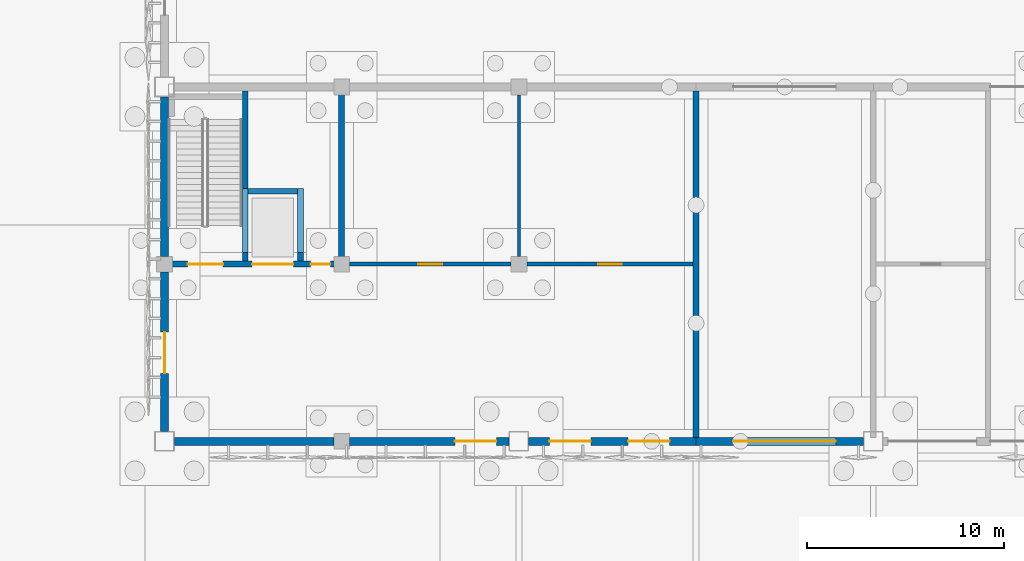
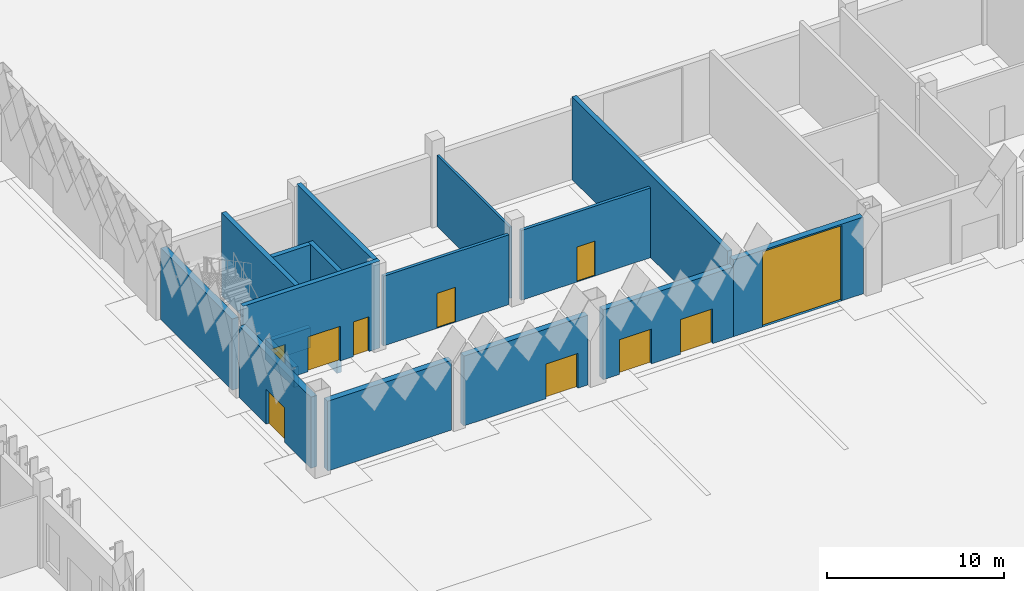
# One storey, part 81 of 198: 18 walls, 10 doors, 10 openings.
"""IFC4 building model written with IfcOpenShell, lengths in metres."""

import ifcopenshell
import ifcopenshell.guid

model = None  # the IFC model being written
_history = None  # IfcOwnerHistory: only IFC2X3 demands one
_inside = {}  # id of a spatial element -> (the spatial element, [elements in it])
_under = {}  # id of a project, library or spatial element -> (it, [spatial elements below it])
_declared = {}  # id of a project -> (the project, [libraries it declares])
_typed = {}  # id of a type object -> (the type object, [elements of that type])
_made_of = {}  # id of a material, layer set ... -> (it, [elements and type objects made of it])


def new_model(schema):
    """Start an empty IFC model of exactly this schema.

    Asked for "IFC4X3", IfcOpenShell would pick the latest addendum, in which some entities
    have other attributes; the version numbers below select the first issue.
    IFC2X3 requires an IfcOwnerHistory on every rooted entity: one is made here for all.
    """
    global model, _history
    if schema == "IFC4X3":
        model = ifcopenshell.file(schema_version=(4, 3, 0, 0))
    else:
        model = ifcopenshell.file(schema=schema)
    _inside.clear()
    _under.clear()
    _declared.clear()
    _typed.clear()
    _made_of.clear()
    _history = None
    if model.schema == "IFC2X3":
        org = make("IfcOrganization", Name="unknown")
        user = make(
            "IfcPersonAndOrganization",
            ThePerson=make("IfcPerson", FamilyName="unknown"),
            TheOrganization=org,
        )
        app = make(
            "IfcApplication",
            ApplicationDeveloper=org,
            Version="unknown",
            ApplicationFullName="unknown",
            ApplicationIdentifier="unknown",
        )
        _history = make(
            "IfcOwnerHistory",
            OwningUser=user,
            OwningApplication=app,
            ChangeAction="ADDED",
            CreationDate=0,
        )
    return model


def make(cls, **values):
    """One entity of the class cls with the attributes given. An attribute that is None is left unset."""
    return model.create_entity(
        cls, **{name: value for name, value in values.items() if value is not None}
    )


def rooted(cls, **values):
    """An entity with a GlobalId (a new one), such as an element, a storey or a relation."""
    return make(cls, GlobalId=ifcopenshell.guid.new(), OwnerHistory=_history, **values)


def si_unit(unit_type, name, prefix=None):
    """IfcSIUnit, for example si_unit("LENGTHUNIT", "METRE", prefix="MILLI")."""
    return make("IfcSIUnit", UnitType=unit_type, Prefix=prefix, Name=name)


def assignment(units):
    """IfcUnitAssignment: the units of a project."""
    return None if units is None else make("IfcUnitAssignment", Units=units)


def point(xyz):
    """IfcCartesianPoint."""
    return None if xyz is None else make("IfcCartesianPoint", Coordinates=xyz)


def direction(xyz):
    """IfcDirection."""
    return None if xyz is None else make("IfcDirection", DirectionRatios=xyz)


def frame(location, z_axis=None, x_axis=None):
    """IfcAxis2Placement3D, a coordinate frame: its origin and axes. An axis left out is left unset."""
    return make(
        "IfcAxis2Placement3D",
        Location=point(location),
        Axis=direction(z_axis),
        RefDirection=direction(x_axis),
    )


def frame_2d(location, x_axis=None):
    """IfcAxis2Placement2D, a coordinate frame in the plane: its origin and x axis."""
    return make(
        "IfcAxis2Placement2D", Location=point(location), RefDirection=direction(x_axis)
    )


def origin():
    """The frame at (0, 0, 0) with its axes left unset."""
    return frame((0.0, 0.0, 0.0))


def place(relative_to, where):
    """IfcLocalPlacement: puts the frame where relative to a parent placement (None: the world)."""
    return make(
        "IfcLocalPlacement", PlacementRelTo=relative_to, RelativePlacement=where
    )


def context(
    kind, dimensions, precision=None, world=None, true_north=None, identifier=None
):
    """IfcGeometricRepresentationContext, for example the 3D "Model" context."""
    return make(
        "IfcGeometricRepresentationContext",
        ContextIdentifier=identifier,
        ContextType=kind,
        CoordinateSpaceDimension=dimensions,
        Precision=precision,
        WorldCoordinateSystem=world,
        TrueNorth=true_north,
    )


def subcontext(parent, identifier, kind, view, scale=None):
    """IfcGeometricRepresentationSubContext, for example "Body" below "Model"."""
    return make(
        "IfcGeometricRepresentationSubContext",
        ContextIdentifier=identifier,
        ContextType=kind,
        ParentContext=parent,
        TargetScale=scale,
        TargetView=view,
    )


def project(units=None, contexts=None):
    """IfcProject with its units and contexts."""
    return rooted(
        "IfcProject",
        Name="project",
        RepresentationContexts=contexts,
        UnitsInContext=assignment(units),
    )


def spatial(cls, under=None, at=None, **own):
    """A site, building, storey or space (cls), placed at a placement, below another one or the project."""
    s = rooted(cls, ObjectPlacement=at, **own)
    if under is not None:
        _under.setdefault(under.id(), (under, []))[1].append(s)
    return s


def profile(cls, at=None, kind="AREA", **sizes):
    """A parametric profile (cls). Its sizes go by their IFC names, for example OverallWidth=200.0."""
    return make(cls, ProfileType=kind, Position=at, **sizes)


def rectangle(**sizes):
    """IfcRectangleProfileDef."""
    return profile("IfcRectangleProfileDef", **sizes)


def extrude(swept, where, along, depth):
    """IfcExtrudedAreaSolid: the profile swept, set in the frame where, extruded along a direction by depth."""
    return make(
        "IfcExtrudedAreaSolid",
        SweptArea=swept,
        Position=where,
        ExtrudedDirection=direction(along),
        Depth=depth,
    )


def shape(context_of_items, identifier, shape_type, items):
    """IfcShapeRepresentation: the items that make up one representation, for example the "Body"."""
    return make(
        "IfcShapeRepresentation",
        ContextOfItems=context_of_items,
        RepresentationIdentifier=identifier,
        RepresentationType=shape_type,
        Items=items,
    )


def material(Name=None, Category=None):
    """IfcMaterial."""
    return make("IfcMaterial", Name=Name, Category=Category)


def layer(
    of_material, thickness, ventilated=None, Name=None, Category=None, Priority=None
):
    """IfcMaterialLayer: one layer of a wall or slab, of a material (None: an air gap)."""
    return make(
        "IfcMaterialLayer",
        Material=of_material,
        LayerThickness=thickness,
        IsVentilated=ventilated,
        Name=Name,
        Category=Category,
        Priority=Priority,
    )


def layer_set(layers, Name=None):
    """IfcMaterialLayerSet."""
    return make("IfcMaterialLayerSet", MaterialLayers=layers, LayerSetName=Name)


def made_of(thing, what):
    """Note that an element or type object is made of a material, layer set ...; save() writes the relation."""
    if what is not None:
        _made_of.setdefault(what.id(), (what, []))[1].append(thing)
    return thing


def type_object(cls, material=None, **own):
    """A type object (cls), such as IfcWallType, which elements share."""
    return made_of(rooted(cls, **own), material)


def element(
    cls,
    number,
    at=None,
    inside=None,
    cuts=None,
    type_object=None,
    material=None,
    context=None,
    identifier="Body",
    shape_type=None,
    held_by="IfcProductDefinitionShape",
    body=None,
    shapes=None,
    **own,
):
    """One element of the class cls, such as IfcWall. Its Tag is "e" and its number.

    at: its placement. inside: the storey or other place that contains it. cuts: it is an
    opening in that element (IfcRelVoidsElement). A single representation is given by context,
    identifier, shape_type and body (its items); several are given by shapes. held_by: the class
    of the entity that holds the representations. save() writes the other relations.
    """
    e = rooted(cls, Tag="e%d" % number, ObjectPlacement=at, **own)
    if body is not None:
        shapes = [shape(context, identifier, shape_type, body)]
    if shapes is not None:
        e.Representation = make(held_by, Representations=shapes)
    if inside is not None:
        _inside.setdefault(inside.id(), (inside, []))[1].append(e)
    if cuts is not None:
        rooted(
            "IfcRelVoidsElement", RelatingBuildingElement=cuts, RelatedOpeningElement=e
        )
    if type_object is not None:
        _typed.setdefault(type_object.id(), (type_object, []))[1].append(e)
    return made_of(e, material)


def fill(opening, filler):
    """IfcRelFillsElement: the door or window that sits in an opening."""
    return rooted(
        "IfcRelFillsElement",
        RelatingOpeningElement=opening,
        RelatedBuildingElement=filler,
    )


def aggregate(whole, parts):
    """IfcRelAggregates: a whole, such as a stair, and the parts it consists of."""
    return rooted("IfcRelAggregates", RelatingObject=whole, RelatedObjects=parts)


def save(model, path):
    """Write the relations noted so far, then the file.

    IfcRelAggregates (storeys below a building ...), IfcRelContainedInSpatialStructure (elements
    in a storey), IfcRelDefinesByType, IfcRelAssociatesMaterial and IfcRelDeclares: one each for
    every whole, place, type object, material and project.
    """
    for whole, parts in _under.values():
        aggregate(whole, parts)
    for where, things in _inside.values():
        rooted(
            "IfcRelContainedInSpatialStructure",
            RelatedElements=things,
            RelatingStructure=where,
        )
    for kind, things in _typed.values():
        rooted("IfcRelDefinesByType", RelatedObjects=things, RelatingType=kind)
    for what, things in _made_of.values():
        rooted("IfcRelAssociatesMaterial", RelatedObjects=things, RelatingMaterial=what)
    for by, libraries in _declared.values():
        rooted("IfcRelDeclares", RelatingContext=by, RelatedDefinitions=libraries)
    model.write(path)


model = new_model("IFC4")

# Units and contexts
model_context = context("Model", 3, precision=1e-05, world=origin(), true_north=direction((0.0, 1.0)))
body_context = subcontext(model_context, "Body", "Model", "MODEL_VIEW")
ifc_project = project(units=[si_unit("LENGTHUNIT", "METRE"), si_unit("AREAUNIT", "SQUARE_METRE"), si_unit("VOLUMEUNIT", "CUBIC_METRE"), si_unit("PLANEANGLEUNIT", "RADIAN"), si_unit("MASSUNIT", "GRAM", prefix="KILO")], contexts=[model_context])

# Site, building, storey
site_placement = place(None, origin())
site = spatial("IfcSite", under=ifc_project, at=site_placement, CompositionType="ELEMENT")
building_placement = place(site_placement, origin())
building = spatial("IfcBuilding", under=site, at=building_placement, Name="Opaline Strait Convention Centre", CompositionType="ELEMENT")
storey_placement = place(building_placement, origin())
storey = spatial("IfcBuildingStorey", under=building, at=storey_placement, Name="L00", CompositionType="ELEMENT", Elevation=0.0)

# Wall
ifc_material_1 = material(Name="Concrete C40", Category="concrete")
ifc_layer_1 = layer(ifc_material_1, 0.25)
ifc_material_2 = material(Name="Mineral wool insulation")
ifc_layer_2 = layer(ifc_material_2, 0.10009765625)
ifc_material_3 = material(Name="Gypsum board lining")
ifc_layer_3 = layer(ifc_material_3, 0.050048828125)
ifc_layer_set_1 = layer_set([ifc_layer_1, ifc_layer_2, ifc_layer_3], Name="Concrete C40, Mineral wool insulation, Gypsum board lining")
wall_type_1 = type_object("IfcWallType", Name="External wall RC 400 insulated", PredefinedType="SOLIDWALL", material=ifc_layer_set_1)
wall_1_placement = place(storey_placement, frame((99.5, 54.0, 0.0), z_axis=(0.0, 0.0, 1.0), x_axis=(1.0, 0.0, 0.0)))
element("IfcWall", 1, at=wall_1_placement, inside=storey, type_object=wall_type_1, Name="External wall S1", PredefinedType="SOLIDWALL", context=body_context, shape_type="SweptSolid", body=[
    extrude(rectangle(XDim=8.10009765625, YDim=0.39990234375, at=frame_2d((4.050048828125, 0.0))), origin(), (0.0, 0.0, 1.0), 4.820068359375),
])

# Wall, opening, door
wall_2_placement = place(storey_placement, frame((108.39990234375, 54.0, 0.0), z_axis=(0.0, 0.0, 1.0), x_axis=(1.0, 0.0, 0.0)))
wall_2 = element("IfcWall", 2, at=wall_2_placement, inside=storey, type_object=wall_type_1, Name="External wall S2", PredefinedType="SOLIDWALL", context=body_context, shape_type="SweptSolid", body=[
    extrude(rectangle(XDim=8.10009765625, YDim=0.39990234375, at=frame_2d((4.050048828125, 0.0))), origin(), (0.0, 0.0, 1.0), 4.820068359375),
])
opening_1_placement = place(wall_2_placement, frame((5.35009765625, 0.0, 0.0)))
opening_1 = element("IfcOpeningElement", 3, at=opening_1_placement, cuts=wall_2, Name="Opening X0-010", PredefinedType="OPENING", context=body_context, shape_type="SweptSolid", body=[
    extrude(rectangle(XDim=2.10009765625, YDim=2.39990234375, at=frame_2d((1.050048828125, 1.199951171875))), frame((0.0, 0.2099609375, 0.0), z_axis=(0.0, -1.0, 0.0), x_axis=(1.0, 0.0, 0.0)), (0.0, 0.0, 1.0), 0.419921875),
])
ifc_material_4 = material(Name="Steel Q235B", Category="steel")
door_type_1 = type_object("IfcDoorType", Name="Dock pedestrian door pair 2100 x 2400", OperationType="DOUBLE_DOOR_SINGLE_SWING", PredefinedType="DOOR", material=ifc_material_4)
door_1_placement = place(opening_1_placement, frame((2.10009765625, 0.0, 0.0), z_axis=(0.0, 0.0, 1.0), x_axis=(-1.0, 0.0, 0.0)))
door_1 = element("IfcDoor", 4, at=door_1_placement, inside=storey, type_object=door_type_1, Name="Dock pedestrian door 1", ObjectType="XD6", OperationType="DOUBLE_DOOR_SINGLE_SWING", OverallHeight=2.39990234375, OverallWidth=2.10009765625, PredefinedType="DOOR", context=body_context, shape_type="SweptSolid", body=[
    extrude(rectangle(XDim=2.10009765625, YDim=2.39990234375, at=frame_2d((1.050048828125, 1.199951171875))), frame((0.0, 0.02490234375, 0.0), z_axis=(0.0, -1.0, 0.0), x_axis=(1.0, 0.0, 0.0)), (0.0, 0.0, 1.0), 0.050048828125),
])
fill(opening_1, door_1)

# Wall, openings, doors
wall_3_placement = place(storey_placement, frame((117.5, 54.0, 0.0), z_axis=(0.0, 0.0, 1.0), x_axis=(1.0, 0.0, 0.0)))
wall_3 = element("IfcWall", 5, at=wall_3_placement, inside=storey, type_object=wall_type_1, Name="External wall S3", PredefinedType="SOLIDWALL", context=body_context, shape_type="SweptSolid", body=[
    extrude(rectangle(XDim=8.5, YDim=0.39990234375, at=frame_2d((4.25, 0.0))), origin(), (0.0, 0.0, 1.0), 4.820068359375),
])
opening_2_placement = place(wall_3_placement, frame((1.050048828125, 0.0, 0.0)))
opening_2 = element("IfcOpeningElement", 6, at=opening_2_placement, cuts=wall_3, Name="Opening X0-011", PredefinedType="OPENING", context=body_context, shape_type="SweptSolid", body=[
    extrude(rectangle(XDim=2.10009765625, YDim=2.39990234375, at=frame_2d((1.050048828125, 1.199951171875))), frame((0.0, 0.2099609375, 0.0), z_axis=(0.0, -1.0, 0.0), x_axis=(1.0, 0.0, 0.0)), (0.0, 0.0, 1.0), 0.419921875),
])
opening_3_placement = place(wall_3_placement, frame((5.050048828125, 0.0, 0.0)))
opening_3 = element("IfcOpeningElement", 7, at=opening_3_placement, cuts=wall_3, Name="Opening X0-012", PredefinedType="OPENING", context=body_context, shape_type="SweptSolid", body=[
    extrude(rectangle(XDim=2.10009765625, YDim=2.39990234375, at=frame_2d((1.050048828125, 1.199951171875))), frame((0.0, 0.2099609375, 0.0), z_axis=(0.0, -1.0, 0.0), x_axis=(1.0, 0.0, 0.0)), (0.0, 0.0, 1.0), 0.419921875),
])
door_2_placement = place(opening_2_placement, frame((2.10009765625, 0.0, 0.0), z_axis=(0.0, 0.0, 1.0), x_axis=(-1.0, 0.0, 0.0)))
door_2 = element("IfcDoor", 8, at=door_2_placement, inside=storey, type_object=door_type_1, Name="Dock pedestrian door 2", ObjectType="XD6", OperationType="DOUBLE_DOOR_SINGLE_SWING", OverallHeight=2.39990234375, OverallWidth=2.10009765625, PredefinedType="DOOR", context=body_context, shape_type="SweptSolid", body=[
    extrude(rectangle(XDim=2.10009765625, YDim=2.39990234375, at=frame_2d((1.050048828125, 1.199951171875))), frame((0.0, 0.02490234375, 0.0), z_axis=(0.0, -1.0, 0.0), x_axis=(1.0, 0.0, 0.0)), (0.0, 0.0, 1.0), 0.050048828125),
])
fill(opening_2, door_2)
door_3_placement = place(opening_3_placement, frame((2.10009765625, 0.0, 0.0), z_axis=(0.0, 0.0, 1.0), x_axis=(-1.0, 0.0, 0.0)))
door_3 = element("IfcDoor", 9, at=door_3_placement, inside=storey, type_object=door_type_1, Name="Dock pedestrian door 3", ObjectType="XD6", OperationType="DOUBLE_DOOR_SINGLE_SWING", OverallHeight=2.39990234375, OverallWidth=2.10009765625, PredefinedType="DOOR", context=body_context, shape_type="SweptSolid", body=[
    extrude(rectangle(XDim=2.10009765625, YDim=2.39990234375, at=frame_2d((1.050048828125, 1.199951171875))), frame((0.0, 0.02490234375, 0.0), z_axis=(0.0, -1.0, 0.0), x_axis=(1.0, 0.0, 0.0)), (0.0, 0.0, 1.0), 0.050048828125),
])
fill(opening_3, door_3)

# Wall, opening, door
wall_4_placement = place(storey_placement, frame((126.0, 54.0, 0.0), z_axis=(0.0, 0.0, 1.0), x_axis=(1.0, 0.0, 0.0)))
wall_4 = element("IfcWall", 10, at=wall_4_placement, inside=storey, type_object=wall_type_1, Name="External wall S4", PredefinedType="SOLIDWALL", context=body_context, shape_type="SweptSolid", body=[
    extrude(rectangle(XDim=8.5, YDim=0.39990234375, at=frame_2d((4.25, 0.0))), origin(), (0.0, 0.0, 1.0), 5.300048828125),
])
opening_4_placement = place(wall_4_placement, frame((1.89990234375, 0.0, 0.0)))
opening_4 = element("IfcOpeningElement", 11, at=opening_4_placement, cuts=wall_4, Name="Opening X0-013", PredefinedType="OPENING", context=body_context, shape_type="SweptSolid", body=[
    extrude(rectangle(XDim=5.199951171875, YDim=5.199951171875, at=frame_2d((2.60009765625, 2.60009765625))), frame((0.0, 0.2099609375, 0.0), z_axis=(0.0, -1.0, 0.0), x_axis=(1.0, 0.0, 0.0)), (0.0, 0.0, 1.0), 0.419921875),
])
ifc_material_5 = material(Name="Galvanised steel Q235B", Category="steel")
door_type_2 = type_object("IfcDoorType", Name="Freight door 5200 x 5200", OperationType="ROLLINGUP", PredefinedType="DOOR", material=ifc_material_5)
door_4_placement = place(opening_4_placement, origin())
door_4 = element("IfcDoor", 12, at=door_4_placement, inside=storey, type_object=door_type_2, Name="Freight door tunnel 4", ObjectType="XD4", OperationType="ROLLINGUP", OverallHeight=5.199951171875, OverallWidth=5.199951171875, PredefinedType="DOOR", context=body_context, shape_type="SweptSolid", body=[
    extrude(rectangle(XDim=5.199951171875, YDim=5.199951171875, at=frame_2d((2.60009765625, 2.60009765625))), frame((0.0, 0.02490234375, 0.0), z_axis=(0.0, -1.0, 0.0), x_axis=(1.0, 0.0, 0.0)), (0.0, 0.0, 1.0), 0.050048828125),
])
fill(opening_4, door_4)

wall_5_placement = place(storey_placement, frame((99.0, 54.5, 0.0), z_axis=(0.0, 0.0, 1.0), x_axis=(0.0, 1.0, 0.0)))
wall_5 = element("IfcWall", 13, at=wall_5_placement, inside=storey, type_object=wall_type_1, Name="External wall W1", PredefinedType="SOLIDWALL", context=body_context, shape_type="SweptSolid", body=[
    extrude(rectangle(XDim=8.10009765625, YDim=0.39990234375, at=frame_2d((4.050048828125, 0.0))), origin(), (0.0, 0.0, 1.0), 4.919921875),
])
opening_5_placement = place(wall_5_placement, frame((2.949951171875, 0.0, 0.0)))
opening_5 = element("IfcOpeningElement", 14, at=opening_5_placement, cuts=wall_5, Name="Opening X0-050", PredefinedType="OPENING", context=body_context, shape_type="SweptSolid", body=[
    extrude(rectangle(XDim=2.10009765625, YDim=2.39990234375, at=frame_2d((1.050048828125, 1.199951171875))), frame((0.0, 0.2099609375, 0.0), z_axis=(0.0, -1.0, 0.0), x_axis=(1.0, 0.0, 0.0)), (0.0, 0.0, 1.0), 0.419921875),
])
door_5_placement = place(opening_5_placement, origin())
door_5 = element("IfcDoor", 15, at=door_5_placement, inside=storey, type_object=door_type_1, Name="Dock pedestrian door W1", ObjectType="XD6", OperationType="DOUBLE_DOOR_SINGLE_SWING", OverallHeight=2.39990234375, OverallWidth=2.10009765625, PredefinedType="DOOR", context=body_context, shape_type="SweptSolid", body=[
    extrude(rectangle(XDim=2.10009765625, YDim=2.39990234375, at=frame_2d((1.050048828125, 1.199951171875))), frame((0.0, 0.02490234375, 0.0), z_axis=(0.0, -1.0, 0.0), x_axis=(1.0, 0.0, 0.0)), (0.0, 0.0, 1.0), 0.050048828125),
])
fill(opening_5, door_5)

# Walls
ifc_layer_4 = layer(ifc_material_1, 0.300048828125)
ifc_layer_5 = layer(ifc_material_2, 0.050048828125)
ifc_layer_6 = layer(ifc_material_3, 0.050048828125)
ifc_layer_set_2 = layer_set([ifc_layer_4, ifc_layer_5, ifc_layer_6], Name="Concrete C40, Mineral wool insulation, Gypsum board lining")
wall_type_2 = type_object("IfcWallType", Name="External wall RC 400 stair core", PredefinedType="SOLIDWALL", material=ifc_layer_set_2)
wall_6_placement = place(storey_placement, frame((99.0, 63.39990234375, 0.0), z_axis=(0.0, 0.0, 1.0), x_axis=(0.0, 1.0, 0.0)))
element("IfcWall", 16, at=wall_6_placement, inside=storey, type_object=wall_type_2, Name="External wall W2", PredefinedType="SOLIDWALL", context=body_context, shape_type="SweptSolid", body=[
    extrude(rectangle(XDim=8.10009765625, YDim=0.39990234375, at=frame_2d((4.050048828125, 0.0))), origin(), (0.0, 0.0, 1.0), 4.919921875),
])
ifc_layer_7 = layer(ifc_material_1, 0.300048828125)
ifc_layer_set_3 = layer_set([ifc_layer_7], Name="Concrete C40")
wall_type_3 = type_object("IfcWallType", Name="Lift pit wall RC 300 C40", PredefinedType="SHEAR", material=ifc_layer_set_3)
for number, where, z_axis, x_axis, name in (
    (17, (103.10009765625, 63.60009765625, -1.39990234375), (0.0, 0.0, 1.0), (0.0, 1.0, 0.0), "EXB-LPW-1-W"),
    (18, (105.89990234375, 63.60009765625, -1.39990234375), (0.0, 0.0, 1.0), (0.0, 1.0, 0.0), "EXB-LPW-1-E"),
):
    element("IfcWall", number, at=place(storey_placement, frame(where, z_axis=z_axis, x_axis=x_axis)), inside=storey, type_object=wall_type_3, Name=name, PredefinedType="SHEAR", context=body_context, shape_type="SweptSolid", body=[
        extrude(rectangle(XDim=3.25, YDim=0.300048828125, at=frame_2d((1.625, 0.0))), origin(), (0.0, 0.0, 1.0), 1.39990234375),
    ])
wall_7_placement = place(storey_placement, frame((103.25, 66.699951171875, -1.39990234375), z_axis=(0.0, 0.0, 1.0), x_axis=(1.0, 0.0, 0.0)))
element("IfcWall", 19, at=wall_7_placement, inside=storey, type_object=wall_type_3, Name="EXB-LPW-1-N", PredefinedType="SHEAR", context=body_context, shape_type="SweptSolid", body=[
    extrude(rectangle(XDim=2.5, YDim=0.300048828125, at=frame_2d((1.25, 0.0))), origin(), (0.0, 0.0, 1.0), 1.39990234375),
])
ifc_layer_8 = layer(ifc_material_1, 0.300048828125)
ifc_layer_set_4 = layer_set([ifc_layer_8], Name="Concrete C40")
wall_type_4 = type_object("IfcWallType", Name="Lift shaft wall RC 300 C40", PredefinedType="SHEAR", material=ifc_layer_set_4)
wall_8_placement = place(storey_placement, frame((103.10009765625, 63.14990234375, 0.0), z_axis=(0.0, 0.0, 1.0), x_axis=(0.0, 1.0, 0.0)))
element("IfcWall", 20, at=wall_8_placement, inside=storey, type_object=wall_type_4, Name="EXB-LS-1-W1-L00", PredefinedType="SHEAR", context=body_context, shape_type="SweptSolid", body=[
    extrude(rectangle(XDim=8.650146484375, YDim=0.300048828125, at=frame_2d((4.3251953125, 0.0))), origin(), (0.0, 0.0, 1.0), 5.719970703125),
])
wall_9_placement = place(storey_placement, frame((105.89990234375, 63.14990234375, 0.0), z_axis=(0.0, 0.0, 1.0), x_axis=(0.0, 1.0, 0.0)))
element("IfcWall", 21, at=wall_9_placement, inside=storey, type_object=wall_type_4, Name="EXB-LS-1-W2-L00", PredefinedType="SHEAR", context=body_context, shape_type="SweptSolid", body=[
    extrude(rectangle(XDim=3.7001953125, YDim=0.300048828125, at=frame_2d((1.85009765625, 0.0))), origin(), (0.0, 0.0, 1.0), 5.719970703125),
])
wall_10_placement = place(storey_placement, frame((103.25, 66.699951171875, 0.0), z_axis=(0.0, 0.0, 1.0), x_axis=(1.0, 0.0, 0.0)))
element("IfcWall", 22, at=wall_10_placement, inside=storey, type_object=wall_type_4, Name="EXB-LS-1-N-L00", PredefinedType="SHEAR", context=body_context, shape_type="SweptSolid", body=[
    extrude(rectangle(XDim=2.5, YDim=0.300048828125, at=frame_2d((1.25, 0.0))), origin(), (0.0, 0.0, 1.0), 5.719970703125),
])
ifc_material_6 = material(Name="Lightweight blockwork", Category="masonry")
ifc_layer_9 = layer(ifc_material_6, 0.14990234375)
ifc_layer_set_5 = layer_set([ifc_layer_9], Name="Lightweight blockwork")
wall_type_5 = type_object("IfcWallType", Name="Partition EI 45 blockwork 150", PredefinedType="PARTITIONING", material=ifc_layer_set_5)
wall_11_placement = place(storey_placement, frame((117.0, 63.39990234375, 0.0), z_axis=(0.0, 0.0, 1.0), x_axis=(0.0, 1.0, 0.0)))
element("IfcWall", 23, at=wall_11_placement, inside=storey, type_object=wall_type_5, Name="Back row partition", PredefinedType="PARTITIONING", context=body_context, shape_type="SweptSolid", body=[
    extrude(rectangle(XDim=8.2001953125, YDim=0.14990234375, at=frame_2d((4.10009765625, 0.0))), origin(), (0.0, 0.0, 1.0), 4.919921875),
])

# Wall, opening, door
ifc_layer_10 = layer(ifc_material_6, 0.199951171875)
ifc_layer_set_6 = layer_set([ifc_layer_10], Name="Lightweight blockwork")
wall_type_6 = type_object("IfcWallType", Name="Partition EI 60 blockwork 200", PredefinedType="PARTITIONING", material=ifc_layer_set_6)
wall_12_placement = place(storey_placement, frame((108.39990234375, 63.0, 0.0), z_axis=(0.0, 0.0, 1.0), x_axis=(1.0, 0.0, 0.0)))
wall_12 = element("IfcWall", 24, at=wall_12_placement, inside=storey, type_object=wall_type_6, Name="Dock wall to the back row", PredefinedType="PARTITIONING", context=body_context, shape_type="SweptSolid", body=[
    extrude(rectangle(XDim=8.2001953125, YDim=0.199951171875, at=frame_2d((4.10009765625, 0.0))), origin(), (0.0, 0.0, 1.0), 4.820068359375),
])
opening_6_placement = place(wall_12_placement, frame((3.5, 0.0, 0.014892578125)))
opening_6 = element("IfcOpeningElement", 25, at=opening_6_placement, cuts=wall_12, Name="Opening X0-090", PredefinedType="OPENING", context=body_context, shape_type="SweptSolid", body=[
    extrude(rectangle(XDim=1.199951171875, YDim=2.39990234375, at=frame_2d((0.60009765625, 1.199951171875))), frame((0.0, 0.10986328125, 0.0), z_axis=(0.0, -1.0, 0.0), x_axis=(1.0, 0.0, 0.0)), (0.0, 0.0, 1.0), 0.219970703125),
])
door_type_3 = type_object("IfcDoorType", Name="Plant door FD60 1200 x 2400", OperationType="SINGLE_SWING_LEFT", PredefinedType="DOOR", material=ifc_material_4)
door_6_placement = place(opening_6_placement, origin())
door_6 = element("IfcDoor", 26, at=door_6_placement, inside=storey, type_object=door_type_3, Name="Hall Electrical Room West door", ObjectType="XD9", OperationType="SINGLE_SWING_RIGHT", OverallHeight=2.39990234375, OverallWidth=1.199951171875, PredefinedType="DOOR", context=body_context, shape_type="SweptSolid", body=[
    extrude(rectangle(XDim=1.199951171875, YDim=2.39990234375, at=frame_2d((0.60009765625, 1.199951171875))), frame((0.0, 0.02490234375, 0.0), z_axis=(0.0, -1.0, 0.0), x_axis=(1.0, 0.0, 0.0)), (0.0, 0.0, 1.0), 0.050048828125),
])
fill(opening_6, door_6)

wall_13_placement = place(storey_placement, frame((117.39990234375, 63.0, 0.0), z_axis=(0.0, 0.0, 1.0), x_axis=(1.0, 0.0, 0.0)))
wall_13 = element("IfcWall", 27, at=wall_13_placement, inside=storey, type_object=wall_type_6, Name="Dock wall to the back row", PredefinedType="PARTITIONING", context=body_context, shape_type="SweptSolid", body=[
    extrude(rectangle(XDim=8.4501953125, YDim=0.199951171875, at=frame_2d((4.22509765625, 0.0))), origin(), (0.0, 0.0, 1.0), 4.820068359375),
])
opening_7_placement = place(wall_13_placement, frame((3.625, 0.0, 0.014892578125)))
opening_7 = element("IfcOpeningElement", 28, at=opening_7_placement, cuts=wall_13, Name="Opening X0-091", PredefinedType="OPENING", context=body_context, shape_type="SweptSolid", body=[
    extrude(rectangle(XDim=1.199951171875, YDim=2.39990234375, at=frame_2d((0.60009765625, 1.199951171875))), frame((0.0, 0.10986328125, 0.0), z_axis=(0.0, -1.0, 0.0), x_axis=(1.0, 0.0, 0.0)), (0.0, 0.0, 1.0), 0.219970703125),
])
door_7_placement = place(opening_7_placement, origin())
door_7 = element("IfcDoor", 29, at=door_7_placement, inside=storey, type_object=door_type_3, Name="Hall Water Plant door", ObjectType="XD9", OperationType="SINGLE_SWING_RIGHT", OverallHeight=2.39990234375, OverallWidth=1.199951171875, PredefinedType="DOOR", context=body_context, shape_type="SweptSolid", body=[
    extrude(rectangle(XDim=1.199951171875, YDim=2.39990234375, at=frame_2d((0.60009765625, 1.199951171875))), frame((0.0, 0.02490234375, 0.0), z_axis=(0.0, -1.0, 0.0), x_axis=(1.0, 0.0, 0.0)), (0.0, 0.0, 1.0), 0.050048828125),
])
fill(opening_7, door_7)

# Wall, openings, doors
ifc_layer_11 = layer(ifc_material_1, 0.300048828125)
ifc_layer_set_7 = layer_set([ifc_layer_11], Name="Concrete C40")
wall_type_7 = type_object("IfcWallType", Name="RC core wall 300 C40", PredefinedType="SHEAR", material=ifc_layer_set_7)
wall_14_placement = place(storey_placement, frame((99.199951171875, 63.0, 0.0), z_axis=(0.0, 0.0, 1.0), x_axis=(1.0, 0.0, 0.0)))
wall_14 = element("IfcWall", 30, at=wall_14_placement, inside=storey, type_object=wall_type_7, Name="Core 1 wall S", PredefinedType="SHEAR", context=body_context, shape_type="SweptSolid", body=[
    extrude(rectangle(XDim=8.949951171875, YDim=0.300048828125, at=frame_2d((4.47509765625, 0.0))), origin(), (0.0, 0.0, 1.0), 6.0),
])
opening_8_placement = place(wall_14_placement, frame((0.97509765625, 0.0, 0.0)))
opening_8 = element("IfcOpeningElement", 31, at=opening_8_placement, cuts=wall_14, Name="Opening X0-101", PredefinedType="OPENING", context=body_context, shape_type="SweptSolid", body=[
    extrude(rectangle(XDim=1.800048828125, YDim=2.39990234375, at=frame_2d((0.89990234375, 1.199951171875))), frame((0.0, 0.159912109375, 0.0), z_axis=(0.0, -1.0, 0.0), x_axis=(1.0, 0.0, 0.0)), (0.0, 0.0, 1.0), 0.320068359375),
])
opening_9_placement = place(wall_14_placement, frame((4.25, 0.0, 0.0)))
opening_9 = element("IfcOpeningElement", 32, at=opening_9_placement, cuts=wall_14, Name="Opening XLD1-0", PredefinedType="OPENING", context=body_context, shape_type="SweptSolid", body=[
    extrude(rectangle(XDim=2.10009765625, YDim=2.39990234375, at=frame_2d((1.050048828125, 1.199951171875))), frame((0.0, 0.159912109375, 0.0), z_axis=(0.0, -1.0, 0.0), x_axis=(1.0, 0.0, 0.0)), (0.0, 0.0, 1.0), 0.320068359375),
])
opening_10_placement = place(wall_14_placement, frame((7.22509765625, 0.0, 0.0)))
opening_10 = element("IfcOpeningElement", 33, at=opening_10_placement, cuts=wall_14, Name="Opening X0-102", PredefinedType="OPENING", context=body_context, shape_type="SweptSolid", body=[
    extrude(rectangle(XDim=1.0, YDim=2.39990234375, at=frame_2d((0.5, 1.199951171875))), frame((0.0, 0.159912109375, 0.0), z_axis=(0.0, -1.0, 0.0), x_axis=(1.0, 0.0, 0.0)), (0.0, 0.0, 1.0), 0.320068359375),
])
ifc_material_7 = material(Name="Stainless steel 304", Category="steel")
door_type_4 = type_object("IfcDoorType", Name="Lift landing door 2100 x 2400", OperationType="DOUBLE_DOOR_SLIDING", PredefinedType="DOOR", material=ifc_material_7)
door_8_placement = place(opening_9_placement, origin())
door_8 = element("IfcDoor", 34, at=door_8_placement, inside=storey, type_object=door_type_4, Name="Goods lift 1 landing door L00", ObjectType="XLD", OperationType="DOUBLE_DOOR_SLIDING", OverallHeight=2.39990234375, OverallWidth=2.10009765625, PredefinedType="DOOR", context=body_context, shape_type="SweptSolid", body=[
    extrude(rectangle(XDim=2.10009765625, YDim=2.39990234375, at=frame_2d((1.050048828125, 1.199951171875))), frame((0.0, 0.02490234375, 0.0), z_axis=(0.0, -1.0, 0.0), x_axis=(1.0, 0.0, 0.0)), (0.0, 0.0, 1.0), 0.050048828125),
])
fill(opening_9, door_8)
door_type_5 = type_object("IfcDoorType", Name="Single door FD30 1000 x 2400", OperationType="SINGLE_SWING_LEFT", PredefinedType="DOOR", material=ifc_material_4)
door_9_placement = place(opening_10_placement, origin())
door_9 = element("IfcDoor", 35, at=door_9_placement, inside=storey, type_object=door_type_5, Name="Services riser 1 door L00", ObjectType="XD8", OperationType="SINGLE_SWING_RIGHT", OverallHeight=2.39990234375, OverallWidth=1.0, PredefinedType="DOOR", context=body_context, shape_type="SweptSolid", body=[
    extrude(rectangle(XDim=1.0, YDim=2.39990234375, at=frame_2d((0.5, 1.199951171875))), frame((0.0, 0.02490234375, 0.0), z_axis=(0.0, -1.0, 0.0), x_axis=(1.0, 0.0, 0.0)), (0.0, 0.0, 1.0), 0.050048828125),
])
fill(opening_10, door_9)
door_type_6 = type_object("IfcDoorType", Name="Stair door pair FD60 1800 x 2400", OperationType="DOUBLE_DOOR_SINGLE_SWING", PredefinedType="DOOR", material=ifc_material_4)
door_10_placement = place(opening_8_placement, frame((1.800048828125, 0.0, 0.0), z_axis=(0.0, 0.0, 1.0), x_axis=(-1.0, 0.0, 0.0)))
door_10 = element("IfcDoor", 36, at=door_10_placement, inside=storey, type_object=door_type_6, Name="Stair 1 door L00", ObjectType="XD7", OperationType="DOUBLE_DOOR_SINGLE_SWING", OverallHeight=2.39990234375, OverallWidth=1.800048828125, PredefinedType="DOOR", context=body_context, shape_type="SweptSolid", body=[
    extrude(rectangle(XDim=1.800048828125, YDim=2.39990234375, at=frame_2d((0.89990234375, 1.199951171875))), frame((0.0, 0.02490234375, 0.0), z_axis=(0.0, -1.0, 0.0), x_axis=(1.0, 0.0, 0.0)), (0.0, 0.0, 1.0), 0.050048828125),
])
fill(opening_8, door_10)

# Walls
wall_15_placement = place(storey_placement, frame((108.0, 63.14990234375, 0.0), z_axis=(0.0, 0.0, 1.0), x_axis=(0.0, 1.0, 0.0)))
element("IfcWall", 37, at=wall_15_placement, inside=storey, type_object=wall_type_7, Name="Core 1 wall E", PredefinedType="SHEAR", context=body_context, shape_type="SweptSolid", body=[
    extrude(rectangle(XDim=8.650146484375, YDim=0.300048828125, at=frame_2d((4.3251953125, 0.0))), origin(), (0.0, 0.0, 1.0), 6.0),
])
ifc_layer_12 = layer(ifc_material_1, 0.300048828125)
ifc_layer_set_8 = layer_set([ifc_layer_12], Name="Concrete C40")
wall_type_8 = type_object("IfcWallType", Name="RC tunnel wall 300 C40", PredefinedType="SOLIDWALL", material=ifc_layer_set_8)
wall_16_placement = place(storey_placement, frame((126.0, 54.199951171875, 0.0), z_axis=(0.0, 0.0, 1.0), x_axis=(0.0, 1.0, 0.0)))
element("IfcWall", 38, at=wall_16_placement, inside=storey, type_object=wall_type_8, Name="Truck tunnel 1 wall at 126", PredefinedType="SOLIDWALL", context=body_context, shape_type="SweptSolid", body=[
    extrude(rectangle(XDim=17.60009765625, YDim=0.300048828125, at=frame_2d((8.800048828125, 0.0))), origin(), (0.0, 0.0, 1.0), 5.719970703125),
])

save(model, "model.ifc")
